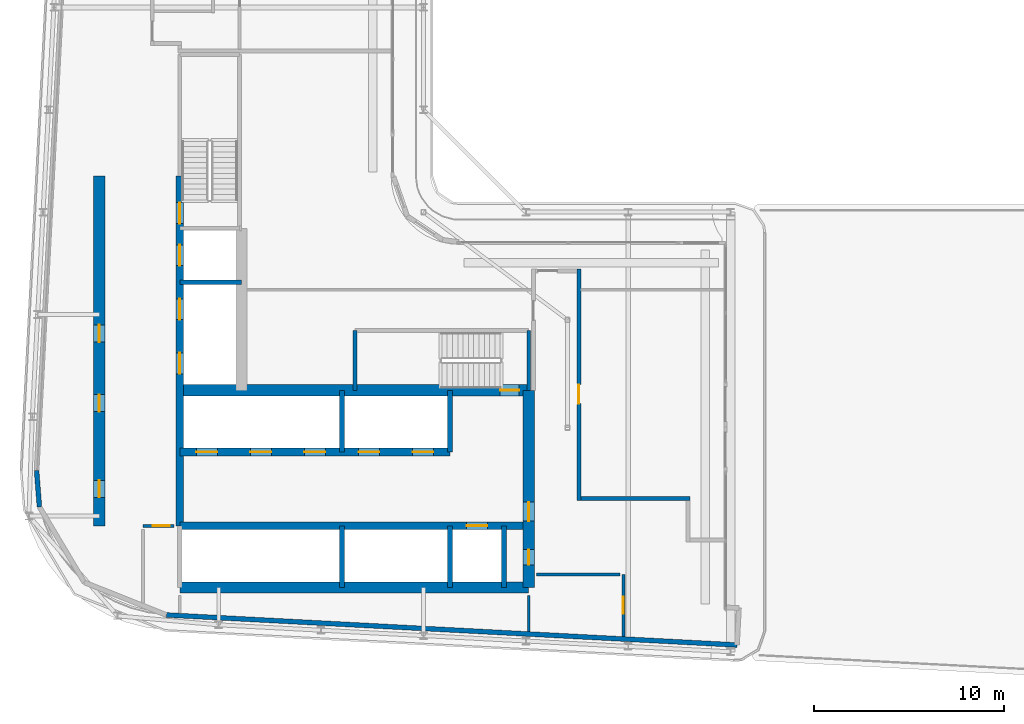
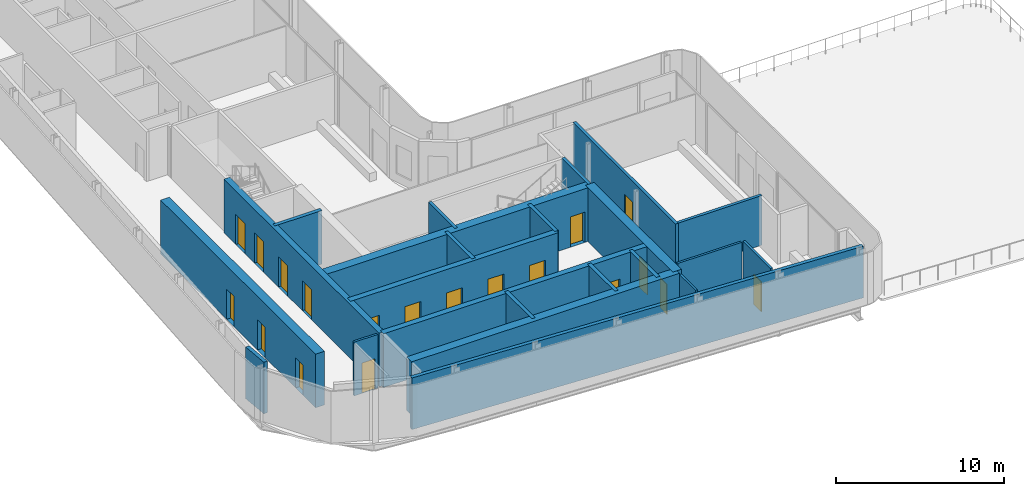
# One storey, part 11 of 22: 23 walls, 19 doors, 19 openings.
"""IFC4 building model written with IfcOpenShell, lengths in metres."""

import ifcopenshell
import ifcopenshell.guid

model = None  # the IFC model being written
_history = None  # IfcOwnerHistory: only IFC2X3 demands one
_inside = {}  # id of a spatial element -> (the spatial element, [elements in it])
_under = {}  # id of a project, library or spatial element -> (it, [spatial elements below it])
_declared = {}  # id of a project -> (the project, [libraries it declares])
_typed = {}  # id of a type object -> (the type object, [elements of that type])
_made_of = {}  # id of a material, layer set ... -> (it, [elements and type objects made of it])


def new_model(schema):
    """Start an empty IFC model of exactly this schema.

    Asked for "IFC4X3", IfcOpenShell would pick the latest addendum, in which some entities
    have other attributes; the version numbers below select the first issue.
    IFC2X3 requires an IfcOwnerHistory on every rooted entity: one is made here for all.
    """
    global model, _history
    if schema == "IFC4X3":
        model = ifcopenshell.file(schema_version=(4, 3, 0, 0))
    else:
        model = ifcopenshell.file(schema=schema)
    _inside.clear()
    _under.clear()
    _declared.clear()
    _typed.clear()
    _made_of.clear()
    _history = None
    if model.schema == "IFC2X3":
        org = make("IfcOrganization", Name="unknown")
        user = make(
            "IfcPersonAndOrganization",
            ThePerson=make("IfcPerson", FamilyName="unknown"),
            TheOrganization=org,
        )
        app = make(
            "IfcApplication",
            ApplicationDeveloper=org,
            Version="unknown",
            ApplicationFullName="unknown",
            ApplicationIdentifier="unknown",
        )
        _history = make(
            "IfcOwnerHistory",
            OwningUser=user,
            OwningApplication=app,
            ChangeAction="ADDED",
            CreationDate=0,
        )
    return model


def make(cls, **values):
    """One entity of the class cls with the attributes given. An attribute that is None is left unset."""
    return model.create_entity(
        cls, **{name: value for name, value in values.items() if value is not None}
    )


def rooted(cls, **values):
    """An entity with a GlobalId (a new one), such as an element, a storey or a relation."""
    return make(cls, GlobalId=ifcopenshell.guid.new(), OwnerHistory=_history, **values)


def si_unit(unit_type, name, prefix=None):
    """IfcSIUnit, for example si_unit("LENGTHUNIT", "METRE", prefix="MILLI")."""
    return make("IfcSIUnit", UnitType=unit_type, Prefix=prefix, Name=name)


def assignment(units):
    """IfcUnitAssignment: the units of a project."""
    return None if units is None else make("IfcUnitAssignment", Units=units)


def point(xyz):
    """IfcCartesianPoint."""
    return None if xyz is None else make("IfcCartesianPoint", Coordinates=xyz)


def direction(xyz):
    """IfcDirection."""
    return None if xyz is None else make("IfcDirection", DirectionRatios=xyz)


def frame(location, z_axis=None, x_axis=None):
    """IfcAxis2Placement3D, a coordinate frame: its origin and axes. An axis left out is left unset."""
    return make(
        "IfcAxis2Placement3D",
        Location=point(location),
        Axis=direction(z_axis),
        RefDirection=direction(x_axis),
    )


def frame_2d(location, x_axis=None):
    """IfcAxis2Placement2D, a coordinate frame in the plane: its origin and x axis."""
    return make(
        "IfcAxis2Placement2D", Location=point(location), RefDirection=direction(x_axis)
    )


def origin():
    """The frame at (0, 0, 0) with its axes left unset."""
    return frame((0.0, 0.0, 0.0))


def place(relative_to, where):
    """IfcLocalPlacement: puts the frame where relative to a parent placement (None: the world)."""
    return make(
        "IfcLocalPlacement", PlacementRelTo=relative_to, RelativePlacement=where
    )


def context(
    kind, dimensions, precision=None, world=None, true_north=None, identifier=None
):
    """IfcGeometricRepresentationContext, for example the 3D "Model" context."""
    return make(
        "IfcGeometricRepresentationContext",
        ContextIdentifier=identifier,
        ContextType=kind,
        CoordinateSpaceDimension=dimensions,
        Precision=precision,
        WorldCoordinateSystem=world,
        TrueNorth=true_north,
    )


def subcontext(parent, identifier, kind, view, scale=None):
    """IfcGeometricRepresentationSubContext, for example "Body" below "Model"."""
    return make(
        "IfcGeometricRepresentationSubContext",
        ContextIdentifier=identifier,
        ContextType=kind,
        ParentContext=parent,
        TargetScale=scale,
        TargetView=view,
    )


def project(units=None, contexts=None):
    """IfcProject with its units and contexts."""
    return rooted(
        "IfcProject",
        Name="project",
        RepresentationContexts=contexts,
        UnitsInContext=assignment(units),
    )


def spatial(cls, under=None, at=None, **own):
    """A site, building, storey or space (cls), placed at a placement, below another one or the project."""
    s = rooted(cls, ObjectPlacement=at, **own)
    if under is not None:
        _under.setdefault(under.id(), (under, []))[1].append(s)
    return s


def profile(cls, at=None, kind="AREA", **sizes):
    """A parametric profile (cls). Its sizes go by their IFC names, for example OverallWidth=200.0."""
    return make(cls, ProfileType=kind, Position=at, **sizes)


def rectangle(**sizes):
    """IfcRectangleProfileDef."""
    return profile("IfcRectangleProfileDef", **sizes)


def extrude(swept, where, along, depth):
    """IfcExtrudedAreaSolid: the profile swept, set in the frame where, extruded along a direction by depth."""
    return make(
        "IfcExtrudedAreaSolid",
        SweptArea=swept,
        Position=where,
        ExtrudedDirection=direction(along),
        Depth=depth,
    )


def shape(context_of_items, identifier, shape_type, items):
    """IfcShapeRepresentation: the items that make up one representation, for example the "Body"."""
    return make(
        "IfcShapeRepresentation",
        ContextOfItems=context_of_items,
        RepresentationIdentifier=identifier,
        RepresentationType=shape_type,
        Items=items,
    )


def source(mapping_origin, context_of_items, identifier, shape_type, items):
    """IfcRepresentationMap: a shape defined once, which mapped items show again and again."""
    return make(
        "IfcRepresentationMap",
        MappingOrigin=mapping_origin,
        MappedRepresentation=shape(context_of_items, identifier, shape_type, items),
    )


def transform(
    local_origin,
    x_axis=None,
    y_axis=None,
    z_axis=None,
    scale=None,
    scale2=None,
    scale3=None,
    uniform=True,
):
    """IfcCartesianTransformationOperator3D, or its non-uniform kind. x_axis, y_axis, z_axis: its Axis1, 2, 3."""
    if uniform:
        return make(
            "IfcCartesianTransformationOperator3D",
            Axis1=direction(x_axis),
            Axis2=direction(y_axis),
            LocalOrigin=point(local_origin),
            Scale=scale,
            Axis3=direction(z_axis),
        )
    return make(
        "IfcCartesianTransformationOperator3DnonUniform",
        Axis1=direction(x_axis),
        Axis2=direction(y_axis),
        LocalOrigin=point(local_origin),
        Scale=scale,
        Axis3=direction(z_axis),
        Scale2=scale2,
        Scale3=scale3,
    )


def mapped(mapping_source, mapping_target):
    """IfcMappedItem: shows the shape of a source again, moved by a transform."""
    return make(
        "IfcMappedItem", MappingSource=mapping_source, MappingTarget=mapping_target
    )


def material(Name=None, Category=None):
    """IfcMaterial."""
    return make("IfcMaterial", Name=Name, Category=Category)


def layer(
    of_material, thickness, ventilated=None, Name=None, Category=None, Priority=None
):
    """IfcMaterialLayer: one layer of a wall or slab, of a material (None: an air gap)."""
    return make(
        "IfcMaterialLayer",
        Material=of_material,
        LayerThickness=thickness,
        IsVentilated=ventilated,
        Name=Name,
        Category=Category,
        Priority=Priority,
    )


def layer_set(layers, Name=None):
    """IfcMaterialLayerSet."""
    return make("IfcMaterialLayerSet", MaterialLayers=layers, LayerSetName=Name)


def made_of(thing, what):
    """Note that an element or type object is made of a material, layer set ...; save() writes the relation."""
    if what is not None:
        _made_of.setdefault(what.id(), (what, []))[1].append(thing)
    return thing


def type_object(cls, material=None, **own):
    """A type object (cls), such as IfcWallType, which elements share."""
    return made_of(rooted(cls, **own), material)


def element(
    cls,
    number,
    at=None,
    inside=None,
    cuts=None,
    type_object=None,
    material=None,
    context=None,
    identifier="Body",
    shape_type=None,
    held_by="IfcProductDefinitionShape",
    body=None,
    shapes=None,
    **own,
):
    """One element of the class cls, such as IfcWall. Its Tag is "e" and its number.

    at: its placement. inside: the storey or other place that contains it. cuts: it is an
    opening in that element (IfcRelVoidsElement). A single representation is given by context,
    identifier, shape_type and body (its items); several are given by shapes. held_by: the class
    of the entity that holds the representations. save() writes the other relations.
    """
    e = rooted(cls, Tag="e%d" % number, ObjectPlacement=at, **own)
    if body is not None:
        shapes = [shape(context, identifier, shape_type, body)]
    if shapes is not None:
        e.Representation = make(held_by, Representations=shapes)
    if inside is not None:
        _inside.setdefault(inside.id(), (inside, []))[1].append(e)
    if cuts is not None:
        rooted(
            "IfcRelVoidsElement", RelatingBuildingElement=cuts, RelatedOpeningElement=e
        )
    if type_object is not None:
        _typed.setdefault(type_object.id(), (type_object, []))[1].append(e)
    return made_of(e, material)


def fill(opening, filler):
    """IfcRelFillsElement: the door or window that sits in an opening."""
    return rooted(
        "IfcRelFillsElement",
        RelatingOpeningElement=opening,
        RelatedBuildingElement=filler,
    )


def aggregate(whole, parts):
    """IfcRelAggregates: a whole, such as a stair, and the parts it consists of."""
    return rooted("IfcRelAggregates", RelatingObject=whole, RelatedObjects=parts)


def save(model, path):
    """Write the relations noted so far, then the file.

    IfcRelAggregates (storeys below a building ...), IfcRelContainedInSpatialStructure (elements
    in a storey), IfcRelDefinesByType, IfcRelAssociatesMaterial and IfcRelDeclares: one each for
    every whole, place, type object, material and project.
    """
    for whole, parts in _under.values():
        aggregate(whole, parts)
    for where, things in _inside.values():
        rooted(
            "IfcRelContainedInSpatialStructure",
            RelatedElements=things,
            RelatingStructure=where,
        )
    for kind, things in _typed.values():
        rooted("IfcRelDefinesByType", RelatedObjects=things, RelatingType=kind)
    for what, things in _made_of.values():
        rooted("IfcRelAssociatesMaterial", RelatedObjects=things, RelatingMaterial=what)
    for by, libraries in _declared.values():
        rooted("IfcRelDeclares", RelatingContext=by, RelatedDefinitions=libraries)
    model.write(path)


model = new_model("IFC4")

# Units and contexts
model_context = context("Model", 3, precision=1e-05, world=origin(), true_north=direction((0.0, 1.0)))
body_context = subcontext(model_context, "Body", "Model", "MODEL_VIEW")
ifc_project = project(units=[si_unit("LENGTHUNIT", "METRE"), si_unit("AREAUNIT", "SQUARE_METRE"), si_unit("VOLUMEUNIT", "CUBIC_METRE"), si_unit("PLANEANGLEUNIT", "RADIAN"), si_unit("MASSUNIT", "GRAM", prefix="KILO")], contexts=[model_context])

# Site, building, storey
site_placement = place(None, origin())
site = spatial("IfcSite", under=ifc_project, at=site_placement, CompositionType="ELEMENT")
building_placement = place(site_placement, origin())
building = spatial("IfcBuilding", under=site, at=building_placement, Name="Kheshtan School and Residences Tower", CompositionType="ELEMENT")
storey_placement = place(building_placement, frame((0.0, 0.0, 274.699951171875)))
storey = spatial("IfcBuildingStorey", under=building, at=storey_placement, Name="L64", CompositionType="ELEMENT", Elevation=274.699951171875)

# Wall, opening, door
ifc_material_1 = material(Name="Concrete C50/60", Category="concrete")
ifc_layer_1 = layer(ifc_material_1, 0.39990234375)
ifc_layer_set_1 = layer_set([ifc_layer_1], Name="Core wall 400 Concrete C50/60")
wall_type_1 = type_object("IfcWallType", Name="Core wall 400 Concrete C50/60", PredefinedType="SHEAR", material=ifc_layer_set_1)
wall_1_placement = place(storey_placement, frame((34.75, 29.050048828125, 0.0), z_axis=(0.0, 0.0, 1.0), x_axis=(1.0, 0.0, 0.0)))
wall_1 = element("IfcWall", 1, at=wall_1_placement, inside=storey, type_object=wall_type_1, Name="Core wall CW-HALL-S1", PredefinedType="SHEAR", context=body_context, shape_type="SweptSolid", body=[
    extrude(rectangle(XDim=18.39990234375, YDim=0.39990234375, at=frame_2d((9.199951171875, 0.0))), origin(), (0.0, 0.0, 1.0), 3.900146484375),
])
opening_1_placement = place(wall_1_placement, frame((15.125, 0.0, 0.0)))
opening_1 = element("IfcOpeningElement", 2, at=opening_1_placement, cuts=wall_1, Name="Opening LD", PredefinedType="OPENING", context=body_context, shape_type="SweptSolid", body=[
    extrude(rectangle(XDim=1.10009765625, YDim=2.199951171875, at=frame_2d((0.550048828125, 1.10009765625))), frame((0.0, 0.2099609375, 0.0), z_axis=(0.0, -1.0, 0.0), x_axis=(1.0, 0.0, 0.0)), (0.0, 0.0, 1.0), 0.419921875),
])
ifc_material_2 = material(Name="Stainless steel door leaves", Category="steel")
door_type_1 = type_object("IfcDoorType", Name="Lift landing door 1100", OperationType="SLIDING_TO_LEFT", PredefinedType="DOOR", material=ifc_material_2)
shared_shape_1 = source(origin(), body_context, "Body", "SweptSolid", [
    extrude(rectangle(XDim=1.10009765625, YDim=2.199951171875, at=frame_2d((0.550048828125, 1.10009765625))), frame((0.0, 0.02490234375, 0.0), z_axis=(0.0, -1.0, 0.0), x_axis=(1.0, 0.0, 0.0)), (0.0, 0.0, 1.0), 0.050048828125),
])
door_1_placement = place(opening_1_placement, origin())
door_1 = element("IfcDoor", 3, at=door_1_placement, inside=storey, type_object=door_type_1, Name="Lift FFL2 landing door", OperationType="SLIDING_TO_LEFT", OverallHeight=2.199951171875, OverallWidth=1.10009765625, PredefinedType="DOOR", context=body_context, shape_type="MappedRepresentation", body=[
    mapped(shared_shape_1, transform((0.0, 0.0, 0.0), x_axis=(1.0, 0.0, 0.0), y_axis=(0.0, 1.0, 0.0), z_axis=(0.0, 0.0, 1.0), scale=1.0)),
])
fill(opening_1, door_1)

# Wall, openings, doors
wall_2_placement = place(storey_placement, frame((34.75, 32.949951171875, 0.0), z_axis=(0.0, 0.0, 1.0), x_axis=(1.0, 0.0, 0.0)))
wall_2 = element("IfcWall", 4, at=wall_2_placement, inside=storey, type_object=wall_type_1, Name="Core wall CW-HALL-S2", PredefinedType="SHEAR", context=body_context, shape_type="SweptSolid", body=[
    extrude(rectangle(XDim=14.25, YDim=0.39990234375, at=frame_2d((7.125, 0.0))), origin(), (0.0, 0.0, 1.0), 3.900146484375),
])
opening_2_placement = place(wall_2_placement, frame((0.875, 0.0, 0.0)))
opening_2 = element("IfcOpeningElement", 5, at=opening_2_placement, cuts=wall_2, Name="Opening LD", PredefinedType="OPENING", context=body_context, shape_type="SweptSolid", body=[
    extrude(rectangle(XDim=1.10009765625, YDim=2.199951171875, at=frame_2d((0.550048828125, 1.10009765625))), frame((0.0, 0.2099609375, 0.0), z_axis=(0.0, -1.0, 0.0), x_axis=(1.0, 0.0, 0.0)), (0.0, 0.0, 1.0), 0.419921875),
])
opening_3_placement = place(wall_2_placement, frame((3.72509765625, 0.0, 0.0)))
opening_3 = element("IfcOpeningElement", 6, at=opening_3_placement, cuts=wall_2, Name="Opening LD", PredefinedType="OPENING", context=body_context, shape_type="SweptSolid", body=[
    extrude(rectangle(XDim=1.10009765625, YDim=2.199951171875, at=frame_2d((0.550048828125, 1.10009765625))), frame((0.0, 0.2099609375, 0.0), z_axis=(0.0, -1.0, 0.0), x_axis=(1.0, 0.0, 0.0)), (0.0, 0.0, 1.0), 0.419921875),
])
opening_4_placement = place(wall_2_placement, frame((6.574951171875, 0.0, 0.0)))
opening_4 = element("IfcOpeningElement", 7, at=opening_4_placement, cuts=wall_2, Name="Opening LD", PredefinedType="OPENING", context=body_context, shape_type="SweptSolid", body=[
    extrude(rectangle(XDim=1.10009765625, YDim=2.199951171875, at=frame_2d((0.550048828125, 1.10009765625))), frame((0.0, 0.2099609375, 0.0), z_axis=(0.0, -1.0, 0.0), x_axis=(1.0, 0.0, 0.0)), (0.0, 0.0, 1.0), 0.419921875),
])
opening_5_placement = place(wall_2_placement, frame((9.425048828125, 0.0, 0.0)))
opening_5 = element("IfcOpeningElement", 8, at=opening_5_placement, cuts=wall_2, Name="Opening LD", PredefinedType="OPENING", context=body_context, shape_type="SweptSolid", body=[
    extrude(rectangle(XDim=1.10009765625, YDim=2.199951171875, at=frame_2d((0.550048828125, 1.10009765625))), frame((0.0, 0.2099609375, 0.0), z_axis=(0.0, -1.0, 0.0), x_axis=(1.0, 0.0, 0.0)), (0.0, 0.0, 1.0), 0.419921875),
])
opening_6_placement = place(wall_2_placement, frame((12.27490234375, 0.0, 0.0)))
opening_6 = element("IfcOpeningElement", 9, at=opening_6_placement, cuts=wall_2, Name="Opening LD", PredefinedType="OPENING", context=body_context, shape_type="SweptSolid", body=[
    extrude(rectangle(XDim=1.10009765625, YDim=2.199951171875, at=frame_2d((0.550048828125, 1.10009765625))), frame((0.0, 0.2099609375, 0.0), z_axis=(0.0, -1.0, 0.0), x_axis=(1.0, 0.0, 0.0)), (0.0, 0.0, 1.0), 0.419921875),
])
door_2_placement = place(opening_2_placement, origin())
door_2 = element("IfcDoor", 10, at=door_2_placement, inside=storey, type_object=door_type_1, Name="Lift P12 landing door", OperationType="SLIDING_TO_LEFT", OverallHeight=2.199951171875, OverallWidth=1.10009765625, PredefinedType="DOOR", context=body_context, shape_type="MappedRepresentation", body=[
    mapped(shared_shape_1, transform((0.0, 0.0, 0.0), x_axis=(1.0, 0.0, 0.0), y_axis=(0.0, 1.0, 0.0), z_axis=(0.0, 0.0, 1.0), scale=1.0)),
])
fill(opening_2, door_2)
door_3_placement = place(opening_3_placement, origin())
door_3 = element("IfcDoor", 11, at=door_3_placement, inside=storey, type_object=door_type_1, Name="Lift P13 landing door", OperationType="SLIDING_TO_LEFT", OverallHeight=2.199951171875, OverallWidth=1.10009765625, PredefinedType="DOOR", context=body_context, shape_type="MappedRepresentation", body=[
    mapped(shared_shape_1, transform((0.0, 0.0, 0.0), x_axis=(1.0, 0.0, 0.0), y_axis=(0.0, 1.0, 0.0), z_axis=(0.0, 0.0, 1.0), scale=1.0)),
])
fill(opening_3, door_3)
door_4_placement = place(opening_4_placement, origin())
door_4 = element("IfcDoor", 12, at=door_4_placement, inside=storey, type_object=door_type_1, Name="Lift P14 landing door", OperationType="SLIDING_TO_LEFT", OverallHeight=2.199951171875, OverallWidth=1.10009765625, PredefinedType="DOOR", context=body_context, shape_type="MappedRepresentation", body=[
    mapped(shared_shape_1, transform((0.0, 0.0, 0.0), x_axis=(1.0, 0.0, 0.0), y_axis=(0.0, 1.0, 0.0), z_axis=(0.0, 0.0, 1.0), scale=1.0)),
])
fill(opening_4, door_4)
door_5_placement = place(opening_5_placement, origin())
door_5 = element("IfcDoor", 13, at=door_5_placement, inside=storey, type_object=door_type_1, Name="Lift P15 landing door", OperationType="SLIDING_TO_LEFT", OverallHeight=2.199951171875, OverallWidth=1.10009765625, PredefinedType="DOOR", context=body_context, shape_type="MappedRepresentation", body=[
    mapped(shared_shape_1, transform((0.0, 0.0, 0.0), x_axis=(1.0, 0.0, 0.0), y_axis=(0.0, 1.0, 0.0), z_axis=(0.0, 0.0, 1.0), scale=1.0)),
])
fill(opening_5, door_5)
door_6_placement = place(opening_6_placement, origin())
door_6 = element("IfcDoor", 14, at=door_6_placement, inside=storey, type_object=door_type_1, Name="Lift P16 landing door", OperationType="SLIDING_TO_LEFT", OverallHeight=2.199951171875, OverallWidth=1.10009765625, PredefinedType="DOOR", context=body_context, shape_type="MappedRepresentation", body=[
    mapped(shared_shape_1, transform((0.0, 0.0, 0.0), x_axis=(1.0, 0.0, 0.0), y_axis=(0.0, 1.0, 0.0), z_axis=(0.0, 0.0, 1.0), scale=1.0)),
])
fill(opening_6, door_6)

wall_3_placement = place(storey_placement, frame((34.75, 29.050048828125, 0.0), z_axis=(0.0, 0.0, 1.0), x_axis=(0.0, 1.0, 0.0)))
wall_3 = element("IfcWall", 15, at=wall_3_placement, inside=storey, type_object=wall_type_1, Name="Core wall CW-HALL-W1", PredefinedType="SHEAR", context=body_context, shape_type="SweptSolid", body=[
    extrude(rectangle(XDim=18.449951171875, YDim=0.39990234375, at=frame_2d((9.22509765625, 0.0))), origin(), (0.0, 0.0, 1.0), 3.900146484375),
])
opening_7_placement = place(wall_3_placement, frame((8.02490234375, 0.0, 0.0)))
opening_7 = element("IfcOpeningElement", 16, at=opening_7_placement, cuts=wall_3, Name="Opening LD", PredefinedType="OPENING", context=body_context, shape_type="SweptSolid", body=[
    extrude(rectangle(XDim=1.10009765625, YDim=2.199951171875, at=frame_2d((0.550048828125, 1.10009765625))), frame((0.0, 0.2099609375, 0.0), z_axis=(0.0, -1.0, 0.0), x_axis=(1.0, 0.0, 0.0)), (0.0, 0.0, 1.0), 0.419921875),
])
opening_8_placement = place(wall_3_placement, frame((10.875, 0.0, 0.0)))
opening_8 = element("IfcOpeningElement", 17, at=opening_8_placement, cuts=wall_3, Name="Opening LD", PredefinedType="OPENING", context=body_context, shape_type="SweptSolid", body=[
    extrude(rectangle(XDim=1.10009765625, YDim=2.199951171875, at=frame_2d((0.550048828125, 1.10009765625))), frame((0.0, 0.2099609375, 0.0), z_axis=(0.0, -1.0, 0.0), x_axis=(1.0, 0.0, 0.0)), (0.0, 0.0, 1.0), 0.419921875),
])
opening_9_placement = place(wall_3_placement, frame((13.72509765625, 0.0, 0.0)))
opening_9 = element("IfcOpeningElement", 18, at=opening_9_placement, cuts=wall_3, Name="Opening LD", PredefinedType="OPENING", context=body_context, shape_type="SweptSolid", body=[
    extrude(rectangle(XDim=1.10009765625, YDim=2.199951171875, at=frame_2d((0.550048828125, 1.10009765625))), frame((0.0, 0.2099609375, 0.0), z_axis=(0.0, -1.0, 0.0), x_axis=(1.0, 0.0, 0.0)), (0.0, 0.0, 1.0), 0.419921875),
])
opening_10_placement = place(wall_3_placement, frame((15.949951171875, 0.0, 0.0)))
opening_10 = element("IfcOpeningElement", 19, at=opening_10_placement, cuts=wall_3, Name="Opening ST2D", PredefinedType="OPENING", context=body_context, shape_type="SweptSolid", body=[
    extrude(rectangle(XDim=1.10009765625, YDim=2.199951171875, at=frame_2d((0.550048828125, 1.10009765625))), frame((0.0, 0.2099609375, 0.0), z_axis=(0.0, -1.0, 0.0), x_axis=(1.0, 0.0, 0.0)), (0.0, 0.0, 1.0), 0.419921875),
])
door_7_placement = place(opening_7_placement, origin())
door_7 = element("IfcDoor", 20, at=door_7_placement, inside=storey, type_object=door_type_1, Name="Lift SV1 landing door", OperationType="SLIDING_TO_LEFT", OverallHeight=2.199951171875, OverallWidth=1.10009765625, PredefinedType="DOOR", context=body_context, shape_type="MappedRepresentation", body=[
    mapped(shared_shape_1, transform((0.0, 0.0, 0.0), x_axis=(1.0, 0.0, 0.0), y_axis=(0.0, 1.0, 0.0), z_axis=(0.0, 0.0, 1.0), scale=1.0)),
])
fill(opening_7, door_7)
door_8_placement = place(opening_8_placement, origin())
door_8 = element("IfcDoor", 21, at=door_8_placement, inside=storey, type_object=door_type_1, Name="Lift SV2 landing door", OperationType="SLIDING_TO_LEFT", OverallHeight=2.199951171875, OverallWidth=1.10009765625, PredefinedType="DOOR", context=body_context, shape_type="MappedRepresentation", body=[
    mapped(shared_shape_1, transform((0.0, 0.0, 0.0), x_axis=(1.0, 0.0, 0.0), y_axis=(0.0, 1.0, 0.0), z_axis=(0.0, 0.0, 1.0), scale=1.0)),
])
fill(opening_8, door_8)
door_9_placement = place(opening_9_placement, origin())
door_9 = element("IfcDoor", 22, at=door_9_placement, inside=storey, type_object=door_type_1, Name="Lift FFL1 landing door", OperationType="SLIDING_TO_LEFT", OverallHeight=2.199951171875, OverallWidth=1.10009765625, PredefinedType="DOOR", context=body_context, shape_type="MappedRepresentation", body=[
    mapped(shared_shape_1, transform((0.0, 0.0, 0.0), x_axis=(1.0, 0.0, 0.0), y_axis=(0.0, 1.0, 0.0), z_axis=(0.0, 0.0, 1.0), scale=1.0)),
])
fill(opening_9, door_9)
ifc_material_3 = material(Name="Steel door leaf, galvanised", Category="steel")
door_type_2 = type_object("IfcDoorType", Name="Stair door 1100 steel 90 min", OperationType="SINGLE_SWING_LEFT", PredefinedType="DOOR", material=ifc_material_3)
shared_shape_2 = source(origin(), body_context, "Body", "SweptSolid", [
    extrude(rectangle(XDim=1.10009765625, YDim=2.199951171875, at=frame_2d((0.550048828125, 1.10009765625))), frame((0.0, 0.02490234375, 0.0), z_axis=(0.0, -1.0, 0.0), x_axis=(1.0, 0.0, 0.0)), (0.0, 0.0, 1.0), 0.050048828125),
])
door_10_placement = place(opening_10_placement, origin())
door_10 = element("IfcDoor", 23, at=door_10_placement, inside=storey, type_object=door_type_2, Name="Stair ST2 door", OperationType="SINGLE_SWING_RIGHT", OverallHeight=2.199951171875, OverallWidth=1.10009765625, PredefinedType="DOOR", context=body_context, shape_type="MappedRepresentation", body=[
    mapped(shared_shape_2, transform((0.0, 0.0, 0.0), x_axis=(1.0, 0.0, 0.0), y_axis=(0.0, 1.0, 0.0), z_axis=(0.0, 0.0, 1.0), scale=1.0)),
])
fill(opening_10, door_10)

# Wall
ifc_material_4 = material(Name="Concrete C60/75", Category="concrete")
ifc_layer_2 = layer(ifc_material_4, 0.60009765625)
ifc_layer_set_2 = layer_set([ifc_layer_2], Name="Core wall 600 Concrete C60/75")
wall_type_2 = type_object("IfcWallType", Name="Core wall 600 Concrete C60/75", PredefinedType="SHEAR", material=ifc_layer_set_2)
wall_4_placement = place(storey_placement, frame((34.75, 25.800048828125, 0.0), z_axis=(0.0, 0.0, 1.0), x_axis=(1.0, 0.0, 0.0)))
element("IfcWall", 24, at=wall_4_placement, inside=storey, type_object=wall_type_2, Name="Core wall CW-REAR-S", PredefinedType="SHEAR", context=body_context, shape_type="SweptSolid", body=[
    extrude(rectangle(XDim=18.39990234375, YDim=0.60009765625, at=frame_2d((9.199951171875, 0.0))), origin(), (0.0, 0.0, 1.0), 3.900146484375),
])

# Wall, opening, door
wall_5_placement = place(storey_placement, frame((34.75, 36.199951171875, 0.0), z_axis=(0.0, 0.0, 1.0), x_axis=(1.0, 0.0, 0.0)))
wall_5 = element("IfcWall", 25, at=wall_5_placement, inside=storey, type_object=wall_type_2, Name="Core wall CW-FRONT-S", PredefinedType="SHEAR", context=body_context, shape_type="SweptSolid", body=[
    extrude(rectangle(XDim=18.39990234375, YDim=0.60009765625, at=frame_2d((9.199951171875, 0.0))), origin(), (0.0, 0.0, 1.0), 3.900146484375),
])
opening_11_placement = place(wall_5_placement, frame((16.89990234375, 0.0, 0.0)))
opening_11 = element("IfcOpeningElement", 26, at=opening_11_placement, cuts=wall_5, Name="Opening ST1D", PredefinedType="OPENING", context=body_context, shape_type="SweptSolid", body=[
    extrude(rectangle(XDim=1.0, YDim=2.199951171875, at=frame_2d((0.5, 1.10009765625))), frame((0.0, 0.31005859375, 0.0), z_axis=(0.0, -1.0, 0.0), x_axis=(1.0, 0.0, 0.0)), (0.0, 0.0, 1.0), 0.6201171875),
])
shared_shape_3 = source(origin(), body_context, "Body", "SweptSolid", [
    extrude(rectangle(XDim=1.0, YDim=2.199951171875, at=frame_2d((0.5, 1.10009765625))), frame((0.0, 0.02490234375, 0.0), z_axis=(0.0, -1.0, 0.0), x_axis=(1.0, 0.0, 0.0)), (0.0, 0.0, 1.0), 0.050048828125),
])
door_11_placement = place(opening_11_placement, origin())
door_11 = element("IfcDoor", 27, at=door_11_placement, inside=storey, type_object=door_type_2, Name="Stair ST1 door", OperationType="SINGLE_SWING_RIGHT", OverallHeight=2.199951171875, OverallWidth=1.0, PredefinedType="DOOR", context=body_context, shape_type="MappedRepresentation", body=[
    mapped(shared_shape_3, transform((0.0, 0.0, 0.0), x_axis=(1.0, 0.0, 0.0), y_axis=(0.0, 1.0, 0.0), z_axis=(0.0, 0.0, 1.0), scale=1.0)),
])
fill(opening_11, door_11)

# Wall, openings, doors
wall_6_placement = place(storey_placement, frame((30.5, 29.050048828125, 0.0), z_axis=(0.0, 0.0, 1.0), x_axis=(0.0, 1.0, 0.0)))
wall_6 = element("IfcWall", 28, at=wall_6_placement, inside=storey, type_object=wall_type_2, Name="Core wall CW-REAR-W", PredefinedType="SHEAR", context=body_context, shape_type="SweptSolid", body=[
    extrude(rectangle(XDim=18.449951171875, YDim=0.60009765625, at=frame_2d((9.22509765625, 0.0))), origin(), (0.0, 0.0, 1.0), 3.900146484375),
])
opening_12_placement = place(wall_6_placement, frame((1.5, 0.0, 0.0)))
opening_12 = element("IfcOpeningElement", 29, at=opening_12_placement, cuts=wall_6, Name="Opening SR90", PredefinedType="OPENING", context=body_context, shape_type="SweptSolid", body=[
    extrude(rectangle(XDim=0.89990234375, YDim=2.199951171875, at=frame_2d((0.449951171875, 1.10009765625))), frame((0.0, 0.31005859375, 0.0), z_axis=(0.0, -1.0, 0.0), x_axis=(1.0, 0.0, 0.0)), (0.0, 0.0, 1.0), 0.6201171875),
])
opening_13_placement = place(wall_6_placement, frame((6.030029296875, 0.0, 0.0)))
opening_13 = element("IfcOpeningElement", 30, at=opening_13_placement, cuts=wall_6, Name="Opening SR90", PredefinedType="OPENING", context=body_context, shape_type="SweptSolid", body=[
    extrude(rectangle(XDim=0.89990234375, YDim=2.199951171875, at=frame_2d((0.449951171875, 1.10009765625))), frame((0.0, 0.31005859375, 0.0), z_axis=(0.0, -1.0, 0.0), x_axis=(1.0, 0.0, 0.0)), (0.0, 0.0, 1.0), 0.6201171875),
])
opening_14_placement = place(wall_6_placement, frame((9.699951171875, 0.0, 0.0)))
opening_14 = element("IfcOpeningElement", 31, at=opening_14_placement, cuts=wall_6, Name="Opening SR90", PredefinedType="OPENING", context=body_context, shape_type="SweptSolid", body=[
    extrude(rectangle(XDim=0.89990234375, YDim=2.199951171875, at=frame_2d((0.449951171875, 1.10009765625))), frame((0.0, 0.31005859375, 0.0), z_axis=(0.0, -1.0, 0.0), x_axis=(1.0, 0.0, 0.0)), (0.0, 0.0, 1.0), 0.6201171875),
])
door_type_3 = type_object("IfcDoorType", Name="Service room door 900 steel 90 min", OperationType="SINGLE_SWING_LEFT", PredefinedType="DOOR", material=ifc_material_3)
shared_shape_4 = source(origin(), body_context, "Body", "SweptSolid", [
    extrude(rectangle(XDim=0.89990234375, YDim=2.199951171875, at=frame_2d((0.449951171875, 1.10009765625))), frame((0.0, 0.02490234375, 0.0), z_axis=(0.0, -1.0, 0.0), x_axis=(1.0, 0.0, 0.0)), (0.0, 0.0, 1.0), 0.050048828125),
])
door_12_placement = place(opening_12_placement, origin())
door_12 = element("IfcDoor", 32, at=door_12_placement, inside=storey, type_object=door_type_3, Name="Service room door", OperationType="SINGLE_SWING_LEFT", OverallHeight=2.199951171875, OverallWidth=0.89990234375, PredefinedType="DOOR", context=body_context, shape_type="MappedRepresentation", body=[
    mapped(shared_shape_4, transform((0.0, 0.0, 0.0), x_axis=(1.0, 0.0, 0.0), y_axis=(0.0, 1.0, 0.0), z_axis=(0.0, 0.0, 1.0), scale=1.0)),
])
fill(opening_12, door_12)
door_13_placement = place(opening_13_placement, origin())
door_13 = element("IfcDoor", 33, at=door_13_placement, inside=storey, type_object=door_type_3, Name="Service room door", OperationType="SINGLE_SWING_RIGHT", OverallHeight=2.199951171875, OverallWidth=0.89990234375, PredefinedType="DOOR", context=body_context, shape_type="MappedRepresentation", body=[
    mapped(shared_shape_4, transform((0.0, 0.0, 0.0), x_axis=(1.0, 0.0, 0.0), y_axis=(0.0, 1.0, 0.0), z_axis=(0.0, 0.0, 1.0), scale=1.0)),
])
fill(opening_13, door_13)
door_14_placement = place(opening_14_placement, origin())
door_14 = element("IfcDoor", 34, at=door_14_placement, inside=storey, type_object=door_type_3, Name="Service room door", OperationType="SINGLE_SWING_LEFT", OverallHeight=2.199951171875, OverallWidth=0.89990234375, PredefinedType="DOOR", context=body_context, shape_type="MappedRepresentation", body=[
    mapped(shared_shape_4, transform((0.0, 0.0, 0.0), x_axis=(1.0, 0.0, 0.0), y_axis=(0.0, 1.0, 0.0), z_axis=(0.0, 0.0, 1.0), scale=1.0)),
])
fill(opening_14, door_14)

wall_7_placement = place(storey_placement, frame((53.14990234375, 25.800048828125, 0.0), z_axis=(0.0, 0.0, 1.0), x_axis=(0.0, 1.0, 0.0)))
wall_7 = element("IfcWall", 35, at=wall_7_placement, inside=storey, type_object=wall_type_2, Name="Core wall CW-EAST", PredefinedType="SHEAR", context=body_context, shape_type="SweptSolid", body=[
    extrude(rectangle(XDim=10.39990234375, YDim=0.60009765625, at=frame_2d((5.199951171875, 0.0))), origin(), (0.0, 0.0, 1.0), 3.900146484375),
])
opening_15_placement = place(wall_7_placement, frame((1.197021484375, 0.0, 0.0)))
opening_15 = element("IfcOpeningElement", 36, at=opening_15_placement, cuts=wall_7, Name="Opening SR80", PredefinedType="OPENING", context=body_context, shape_type="SweptSolid", body=[
    extrude(rectangle(XDim=0.800048828125, YDim=2.199951171875, at=frame_2d((0.39990234375, 1.10009765625))), frame((0.0, 0.31005859375, 0.0), z_axis=(0.0, -1.0, 0.0), x_axis=(1.0, 0.0, 0.0)), (0.0, 0.0, 1.0), 0.6201171875),
])
opening_16_placement = place(wall_7_placement, frame((3.5, 0.0, 0.0)))
opening_16 = element("IfcOpeningElement", 37, at=opening_16_placement, cuts=wall_7, Name="Opening SD91", PredefinedType="OPENING", context=body_context, shape_type="SweptSolid", body=[
    extrude(rectangle(XDim=1.0, YDim=2.199951171875, at=frame_2d((0.5, 1.10009765625))), frame((0.0, 0.31005859375, 0.0), z_axis=(0.0, -1.0, 0.0), x_axis=(1.0, 0.0, 0.0)), (0.0, 0.0, 1.0), 0.6201171875),
])
door_type_4 = type_object("IfcDoorType", Name="Service room door 800 steel 90 min", OperationType="SINGLE_SWING_LEFT", PredefinedType="DOOR", material=ifc_material_3)
shared_shape_5 = source(origin(), body_context, "Body", "SweptSolid", [
    extrude(rectangle(XDim=0.800048828125, YDim=2.199951171875, at=frame_2d((0.39990234375, 1.10009765625))), frame((0.0, 0.02490234375, 0.0), z_axis=(0.0, -1.0, 0.0), x_axis=(1.0, 0.0, 0.0)), (0.0, 0.0, 1.0), 0.050048828125),
])
door_15_placement = place(opening_15_placement, origin())
door_15 = element("IfcDoor", 38, at=door_15_placement, inside=storey, type_object=door_type_4, Name="Service room door", OperationType="SINGLE_SWING_LEFT", OverallHeight=2.199951171875, OverallWidth=0.800048828125, PredefinedType="DOOR", context=body_context, shape_type="MappedRepresentation", body=[
    mapped(shared_shape_5, transform((0.0, 0.0, 0.0), x_axis=(1.0, 0.0, 0.0), y_axis=(0.0, 1.0, 0.0), z_axis=(0.0, 0.0, 1.0), scale=1.0)),
])
fill(opening_15, door_15)
door_type_5 = type_object("IfcDoorType", Name="Firefighting lobby door 1000 steel 90 min", OperationType="SINGLE_SWING_LEFT", PredefinedType="DOOR", material=ifc_material_3)
shared_shape_6 = source(origin(), body_context, "Body", "SweptSolid", [
    extrude(rectangle(XDim=1.0, YDim=2.199951171875, at=frame_2d((0.5, 1.10009765625))), frame((0.0, 0.02490234375, 0.0), z_axis=(0.0, -1.0, 0.0), x_axis=(1.0, 0.0, 0.0)), (0.0, 0.0, 1.0), 0.050048828125),
])
door_16_placement = place(opening_16_placement, origin())
door_16 = element("IfcDoor", 39, at=door_16_placement, inside=storey, type_object=door_type_5, Name="Firefighting lobby door", OperationType="SINGLE_SWING_LEFT", OverallHeight=2.199951171875, OverallWidth=1.0, PredefinedType="DOOR", context=body_context, shape_type="MappedRepresentation", body=[
    mapped(shared_shape_6, transform((0.0, 0.0, 0.0), x_axis=(1.0, 0.0, 0.0), y_axis=(0.0, 1.0, 0.0), z_axis=(0.0, 0.0, 1.0), scale=1.0)),
])
fill(opening_16, door_16)

# Wall, opening, door
ifc_material_5 = material(Name="Gypsum board on steel studs with fire boards", Category="steel")
ifc_layer_3 = layer(ifc_material_5, 0.199951171875)
ifc_layer_set_3 = layer_set([ifc_layer_3], Name="Corridor wall 200")
wall_type_3 = type_object("IfcWallType", Name="Corridor wall 200", PredefinedType="PARTITIONING", material=ifc_layer_set_3)
wall_8_placement = place(storey_placement, frame((55.800048828125, 30.39990234375, 0.0), z_axis=(0.0, 0.0, 1.0), x_axis=(0.0, 1.0, 0.0)))
wall_8 = element("IfcWall", 40, at=wall_8_placement, inside=storey, type_object=wall_type_3, Name="Partition L64-045", PredefinedType="PARTITIONING", context=body_context, shape_type="SweptSolid", body=[
    extrude(rectangle(XDim=12.2001953125, YDim=0.199951171875, at=frame_2d((6.10009765625, 0.0))), origin(), (0.0, 0.0, 1.0), 3.60009765625),
])
opening_17_placement = place(wall_8_placement, frame((5.10009765625, 0.0, 0.0)))
opening_17 = element("IfcOpeningElement", 41, at=opening_17_placement, cuts=wall_8, Name="Opening D64-031", PredefinedType="OPENING", context=body_context, shape_type="SweptSolid", body=[
    extrude(rectangle(XDim=1.0, YDim=2.10009765625, at=frame_2d((0.5, 1.050048828125))), frame((0.0, 0.10986328125, 0.0), z_axis=(0.0, -1.0, 0.0), x_axis=(1.0, 0.0, 0.0)), (0.0, 0.0, 1.0), 0.219970703125),
])
ifc_material_6 = material(Name="Steel-framed fire-resisting door leaf", Category="steel")
door_type_6 = type_object("IfcDoorType", Name="Fire door FD60 1000 x 2100", OperationType="SINGLE_SWING_LEFT", PredefinedType="DOOR", material=ifc_material_6)
shared_shape_7 = source(origin(), body_context, "Body", "SweptSolid", [
    extrude(rectangle(XDim=1.0, YDim=2.10009765625, at=frame_2d((0.5, 1.050048828125))), frame((0.0, 0.02490234375, 0.0), z_axis=(0.0, -1.0, 0.0), x_axis=(1.0, 0.0, 0.0)), (0.0, 0.0, 1.0), 0.050048828125),
])
door_17_placement = place(opening_17_placement, origin())
door_17 = element("IfcDoor", 42, at=door_17_placement, inside=storey, type_object=door_type_6, Name="Door D64-031", OperationType="SINGLE_SWING_RIGHT", OverallHeight=2.10009765625, OverallWidth=1.0, PredefinedType="DOOR", context=body_context, shape_type="MappedRepresentation", body=[
    mapped(shared_shape_7, transform((0.0, 0.0, 0.0), x_axis=(1.0, 0.0, 0.0), y_axis=(0.0, 1.0, 0.0), z_axis=(0.0, 0.0, 1.0), scale=1.0)),
])
fill(opening_17, door_17)

# Walls
wall_9_placement = place(storey_placement, frame((55.89990234375, 30.5, 0.0), z_axis=(0.0, 0.0, 1.0), x_axis=(1.0, 0.0, 0.0)))
element("IfcWall", 43, at=wall_9_placement, inside=storey, type_object=wall_type_3, Name="Partition L64-046", PredefinedType="PARTITIONING", context=body_context, shape_type="SweptSolid", body=[
    extrude(rectangle(XDim=5.75, YDim=0.199951171875, at=frame_2d((2.875, 0.0))), origin(), (0.0, 0.0, 1.0), 3.60009765625),
])
ifc_material_7 = material(Name="Concrete C40/50 with ceramic cladding and mineral wool insulation", Category="concrete")
ifc_layer_4 = layer(ifc_material_7, 0.25)
ifc_layer_set_4 = layer_set([ifc_layer_4], Name="External wall 250 ceramic clad")
wall_type_4 = type_object("IfcWallType", Name="External wall 250 ceramic clad", PredefinedType="SOLIDWALL", material=ifc_layer_set_4)
wall_10_placement = place(storey_placement, frame((27.343994140625, 30.054931640625, 0.0), z_axis=(0.0, 0.0, 1.0), x_axis=(-0.077571675317, 0.99698677784, 0.0)))
element("IfcWall", 44, at=wall_10_placement, inside=storey, type_object=wall_type_4, Name="External wall L64 3", PredefinedType="SOLIDWALL", context=body_context, shape_type="SweptSolid", body=[
    extrude(rectangle(XDim=1.919921875, YDim=0.25, at=frame_2d((0.9599609375, 0.0))), origin(), (0.0, 0.0, 1.0), 3.75),
])
wall_11_placement = place(storey_placement, frame((64.135986328125, 22.76904296875, 0.0), z_axis=(0.0, 0.0, 1.0), x_axis=(-0.998617941217, 0.052556707274, 0.0)))
element("IfcWall", 45, at=wall_11_placement, inside=storey, type_object=wall_type_4, Name="External wall L64 16", PredefinedType="SOLIDWALL", context=body_context, shape_type="SweptSolid", body=[
    extrude(rectangle(XDim=30.138671875, YDim=0.25, at=frame_2d((15.0693359375, 0.0))), origin(), (0.0, 0.0, 1.0), 3.75),
])

# Wall, opening, door
ifc_material_8 = material(Name="Fire-board shaft wall system")
ifc_layer_5 = layer(ifc_material_8, 0.14990234375)
ifc_layer_set_5 = layer_set([ifc_layer_5], Name="Service room wall 150")
wall_type_5 = type_object("IfcWallType", Name="Service room wall 150", PredefinedType="PARTITIONING", material=ifc_layer_set_5)
wall_12_placement = place(storey_placement, frame((32.804931640625, 29.050048828125, 0.0), z_axis=(0.0, 0.0, 1.0), x_axis=(1.0, 0.0, 0.0)))
wall_12 = element("IfcWall", 46, at=wall_12_placement, inside=storey, type_object=wall_type_5, Name="Service room wall", PredefinedType="PARTITIONING", context=body_context, shape_type="SweptSolid", body=[
    extrude(rectangle(XDim=1.625, YDim=0.14990234375, at=frame_2d((0.8125, 0.0))), origin(), (0.0, 0.0, 1.0), 3.900146484375),
])
opening_18_placement = place(wall_12_placement, frame((0.52294921875, 0.0, 0.0)))
opening_18 = element("IfcOpeningElement", 47, at=opening_18_placement, cuts=wall_12, Name="Opening SR90", PredefinedType="OPENING", context=body_context, shape_type="SweptSolid", body=[
    extrude(rectangle(XDim=0.89990234375, YDim=2.199951171875, at=frame_2d((0.449951171875, 1.10009765625))), frame((0.0, 0.0849609375, 0.0), z_axis=(0.0, -1.0, 0.0), x_axis=(1.0, 0.0, 0.0)), (0.0, 0.0, 1.0), 0.169921875),
])
door_18_placement = place(opening_18_placement, origin())
door_18 = element("IfcDoor", 48, at=door_18_placement, inside=storey, type_object=door_type_3, Name="Service room door", OperationType="SINGLE_SWING_LEFT", OverallHeight=2.199951171875, OverallWidth=0.89990234375, PredefinedType="DOOR", context=body_context, shape_type="MappedRepresentation", body=[
    mapped(shared_shape_4, transform((0.0, 0.0, 0.0), x_axis=(1.0, 0.0, 0.0), y_axis=(0.0, 1.0, 0.0), z_axis=(0.0, 0.0, 1.0), scale=1.0)),
])
fill(opening_18, door_18)

wall_13_placement = place(storey_placement, frame((58.14990234375, 23.2119140625, 0.0), z_axis=(0.0, 0.0, 1.0), x_axis=(0.0, 1.0, 0.0)))
wall_13 = element("IfcWall", 49, at=wall_13_placement, inside=storey, type_object=wall_type_5, Name="Service room wall", PredefinedType="PARTITIONING", context=body_context, shape_type="SweptSolid", body=[
    extrude(rectangle(XDim=3.281982421875, YDim=0.14990234375, at=frame_2d((1.64111328125, 0.0))), origin(), (0.0, 0.0, 1.0), 3.900146484375),
])
opening_19_placement = place(wall_13_placement, frame((1.205078125, 0.0, 0.0)))
opening_19 = element("IfcOpeningElement", 50, at=opening_19_placement, cuts=wall_13, Name="Opening SR90", PredefinedType="OPENING", context=body_context, shape_type="SweptSolid", body=[
    extrude(rectangle(XDim=0.89990234375, YDim=2.199951171875, at=frame_2d((0.449951171875, 1.10009765625))), frame((0.0, 0.0849609375, 0.0), z_axis=(0.0, -1.0, 0.0), x_axis=(1.0, 0.0, 0.0)), (0.0, 0.0, 1.0), 0.169921875),
])
door_19_placement = place(opening_19_placement, origin())
door_19 = element("IfcDoor", 51, at=door_19_placement, inside=storey, type_object=door_type_3, Name="Service room door", OperationType="SINGLE_SWING_LEFT", OverallHeight=2.199951171875, OverallWidth=0.89990234375, PredefinedType="DOOR", context=body_context, shape_type="MappedRepresentation", body=[
    mapped(shared_shape_4, transform((0.0, 0.0, 0.0), x_axis=(1.0, 0.0, 0.0), y_axis=(0.0, 1.0, 0.0), z_axis=(0.0, 0.0, 1.0), scale=1.0)),
])
fill(opening_19, door_19)

# Walls
wall_14_placement = place(storey_placement, frame((53.570068359375, 26.493896484375, 0.0), z_axis=(0.0, 0.0, 1.0), x_axis=(1.0, 0.0, 0.0)))
element("IfcWall", 52, at=wall_14_placement, inside=storey, type_object=wall_type_5, Name="Service room wall", PredefinedType="PARTITIONING", context=body_context, shape_type="SweptSolid", body=[
    extrude(rectangle(XDim=4.385009765625, YDim=0.14990234375, at=frame_2d((2.1923828125, 0.0))), origin(), (0.0, 0.0, 1.0), 3.900146484375),
])
wall_15_placement = place(storey_placement, frame((53.14990234375, 23.47509765625, 0.0), z_axis=(0.0, 0.0, 1.0), x_axis=(0.0, 1.0, 0.0)))
element("IfcWall", 53, at=wall_15_placement, inside=storey, type_object=wall_type_5, Name="Service room wall", PredefinedType="PARTITIONING", context=body_context, shape_type="SweptSolid", body=[
    extrude(rectangle(XDim=1.90478515625, YDim=0.14990234375, at=frame_2d((0.952392578125, 0.0))), origin(), (0.0, 0.0, 1.0), 3.900146484375),
])
ifc_layer_6 = layer(ifc_material_8, 0.25)
ifc_layer_set_6 = layer_set([ifc_layer_6], Name="Shaft lining wall 250")
wall_type_6 = type_object("IfcWallType", Name="Shaft lining wall 250", PredefinedType="PARTITIONING", material=ifc_layer_set_6)
for number, where, z_axis, x_axis, name in (
    (54, (43.300048828125, 25.800048828125, 0.0), (0.0, 0.0, 1.0), (0.0, 1.0, 0.0), "Shaft lining wall"),
    (55, (43.300048828125, 32.949951171875, 0.0), (0.0, 0.0, 1.0), (0.0, 1.0, 0.0), "Shaft lining wall"),
    (56, (49.0, 25.800048828125, 0.0), (0.0, 0.0, 1.0), (0.0, 1.0, 0.0), "Shaft lining wall"),
    (57, (49.0, 32.949951171875, 0.0), (0.0, 0.0, 1.0), (0.0, 1.0, 0.0), "Shaft lining wall"),
    (58, (51.85009765625, 25.800048828125, 0.0), (0.0, 0.0, 1.0), (0.0, 1.0, 0.0), "Shaft lining wall"),
    (59, (34.75, 41.89990234375, 0.0), (0.0, 0.0, 1.0), (1.0, 0.0, 0.0), "Shaft lining wall"),
):
    element("IfcWall", number, at=place(storey_placement, frame(where, z_axis=z_axis, x_axis=x_axis)), inside=storey, type_object=wall_type_6, Name=name, PredefinedType="PARTITIONING", context=body_context, shape_type="SweptSolid", body=[
        extrude(rectangle(XDim=3.25, YDim=0.25, at=frame_2d((1.625, 0.0))), origin(), (0.0, 0.0, 1.0), 3.900146484375),
    ])
ifc_material_9 = material(Name="Concrete C40/50", Category="concrete")
ifc_layer_7 = layer(ifc_material_9, 0.199951171875)
ifc_layer_set_7 = layer_set([ifc_layer_7], Name="Stair enclosure wall 200 Concrete C40/50")
wall_type_7 = type_object("IfcWallType", Name="Stair enclosure wall 200 Concrete C40/50", PredefinedType="SHEAR", material=ifc_layer_set_7)
for number, where, z_axis, x_axis, name in (
    (60, (43.989990234375, 36.199951171875, 0.0), (0.0, 0.0, 1.0), (0.0, 1.0, 0.0), "Stair enclosure wall ST1"),
    (61, (53.14990234375, 36.199951171875, 0.0), (0.0, 0.0, 1.0), (0.0, 1.0, 0.0), "Stair enclosure wall ST1"),
):
    element("IfcWall", number, at=place(storey_placement, frame(where, z_axis=z_axis, x_axis=x_axis)), inside=storey, type_object=wall_type_7, Name=name, PredefinedType="SHEAR", context=body_context, shape_type="SweptSolid", body=[
        extrude(rectangle(XDim=3.150146484375, YDim=0.199951171875, at=frame_2d((1.5751953125, 0.0))), origin(), (0.0, 0.0, 1.0), 3.900146484375),
    ])

save(model, "model.ifc")
